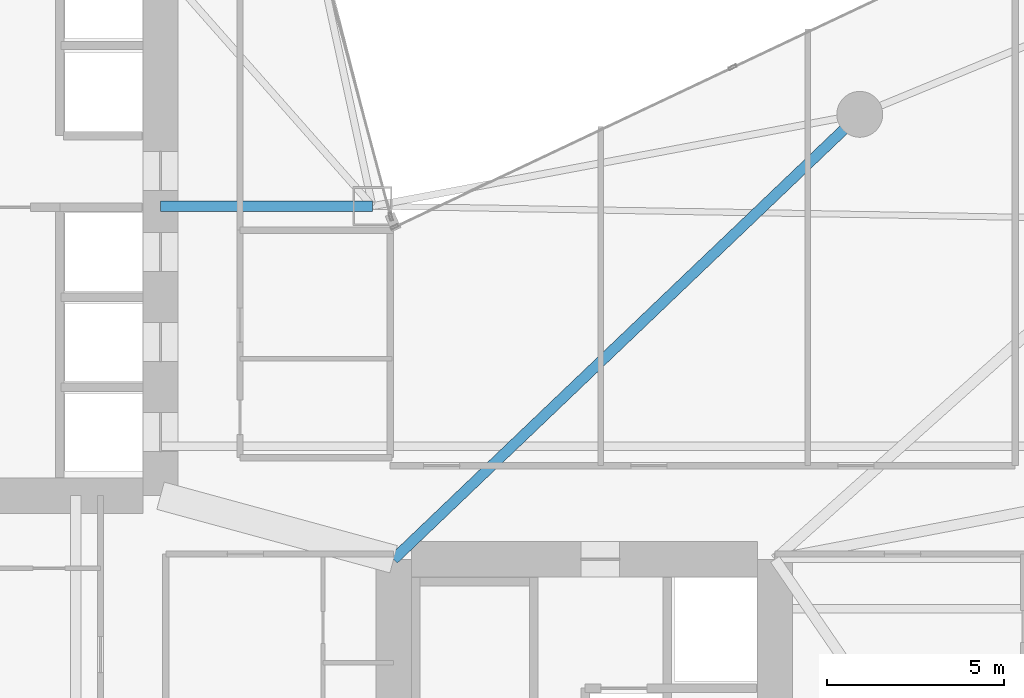
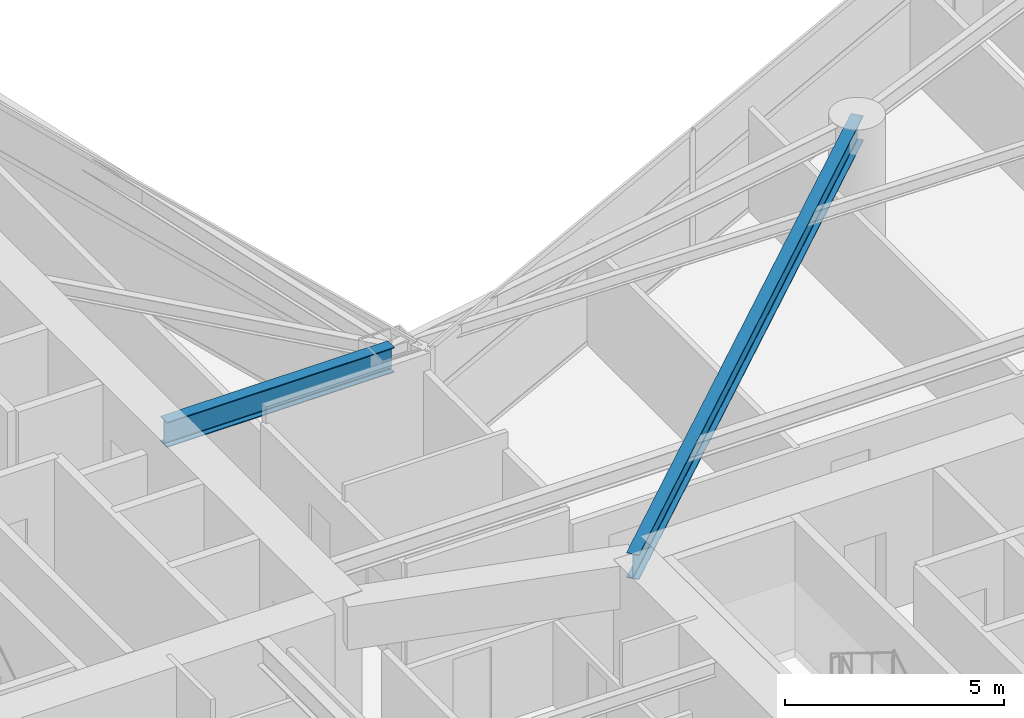
# One storey, part 9 of 29: 2 beams.
"""IFC4 building model written with IfcOpenShell, lengths in metres."""

from ifc_helpers import new_model, si_unit, direction, frame, origin, origin_2d, place, context, subcontext, project, spatial, i_section, extrude, material, material_profile, profile_set, type_object, element, save


model = new_model("IFC4")

# Units and contexts
model_context = context("Model", 3, precision=1e-05, world=origin(), true_north=direction((0.0, 1.0)))
body_context = subcontext(model_context, "Body", "Model", "MODEL_VIEW")
ifc_project = project(units=[si_unit("LENGTHUNIT", "METRE"), si_unit("AREAUNIT", "SQUARE_METRE"), si_unit("VOLUMEUNIT", "CUBIC_METRE"), si_unit("PLANEANGLEUNIT", "RADIAN"), si_unit("MASSUNIT", "GRAM", prefix="KILO")], contexts=[model_context])

# Site, building, storey
site_placement = place(None, origin())
site = spatial("IfcSite", under=ifc_project, at=site_placement, CompositionType="ELEMENT")
building_placement = place(site_placement, origin())
building = spatial("IfcBuilding", under=site, at=building_placement, Name="Calvorn Quay Hotel", CompositionType="ELEMENT")
storey_placement = place(building_placement, frame((0.0, 0.0, 58.39990234375)))
storey = spatial("IfcBuildingStorey", under=building, at=storey_placement, Name="L13", CompositionType="ELEMENT", Elevation=58.39990234375)

# Beams
ifc_material = material(Name="Steel Q390GJC", Category="steel")
ifc_material_profile = material_profile(ifc_material, i_section(OverallWidth=0.300048828125, OverallDepth=0.699951171875, WebThickness=0.012939453125, FlangeThickness=0.02392578125, FilletRadius=0.02392578125, at=origin_2d()), Name="HN700x300x13x24")
ifc_profile_set = profile_set([ifc_material_profile], Name="Steel Q390GJC")
beam_type = type_object("IfcBeamType", Name="BM-GIRD-MAIN", PredefinedType="BEAM", material=ifc_profile_set)
beam_1_placement = place(storey_placement, frame((21.0, 25.0, 3.190185546875), z_axis=(-1.0, 0.0, 0.0), x_axis=(0.0, -1.0, 0.0)))
element("IfcBeam", 1, at=beam_1_placement, inside=storey, type_object=beam_type, Name="Beam BG-L13-W7", PredefinedType="BEAM", context=body_context, shape_type="SweptSolid", body=[
    extrude(i_section(OverallWidth=0.300048828125, OverallDepth=0.699951171875, WebThickness=0.012939453125, FlangeThickness=0.02392578125, FilletRadius=0.02392578125, at=origin_2d()), origin(), (0.0, 0.0, 1.0), 6.0),
])
beam_2_placement = place(storey_placement, frame((21.60009765625, 15.0, 3.190185546875), z_axis=(0.723351595578, 0.690479883252, 0.0), x_axis=(-0.690479883252, 0.723351595578, 0.0)))
element("IfcBeam", 2, at=beam_2_placement, inside=storey, type_object=beam_type, Name="Beam BG-L13-E4", PredefinedType="BEAM", context=body_context, shape_type="SweptSolid", body=[
    extrude(i_section(OverallWidth=0.300048828125, OverallDepth=0.699951171875, WebThickness=0.012939453125, FlangeThickness=0.02392578125, FilletRadius=0.02392578125, at=origin_2d()), origin(), (0.0, 0.0, 1.0), 18.248291015625),
])

save(model, "model.ifc")
